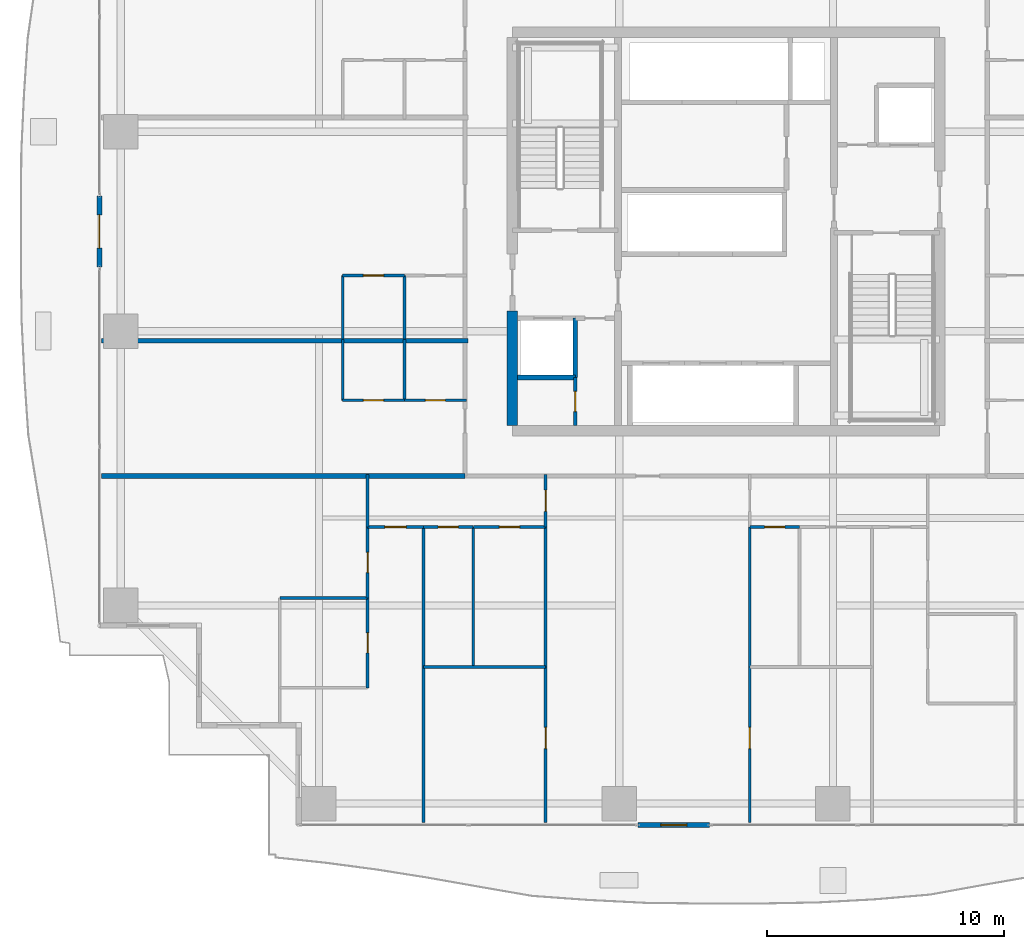
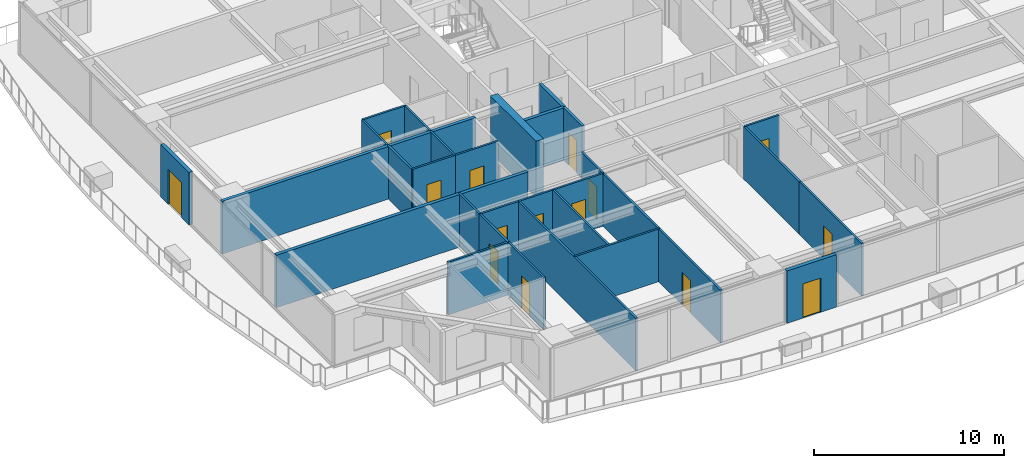
# One storey, part 27 of 40: 31 walls, 15 doors, 15 openings.
"""IFC4 building model written with IfcOpenShell, lengths in metres."""

from ifc_helpers import new_model, si_unit, direction, frame, frame_2d, origin, place, context, subcontext, project, spatial, rectangle, extrude, source, transform, mapped, material, layer, layer_set, type_object, element, fill, save


model = new_model("IFC4")

# Units and contexts
model_context = context("Model", 3, precision=1e-05, world=origin(), true_north=direction((0.0, 1.0)))
body_context = subcontext(model_context, "Body", "Model", "MODEL_VIEW")
ifc_project = project(units=[si_unit("LENGTHUNIT", "METRE"), si_unit("AREAUNIT", "SQUARE_METRE"), si_unit("VOLUMEUNIT", "CUBIC_METRE"), si_unit("PLANEANGLEUNIT", "RADIAN"), si_unit("MASSUNIT", "GRAM", prefix="KILO")], contexts=[model_context])

# Site, building, storey
site_placement = place(None, origin())
site = spatial("IfcSite", under=ifc_project, at=site_placement, CompositionType="ELEMENT")
building_placement = place(site_placement, origin())
building = spatial("IfcBuilding", under=site, at=building_placement, Name="Serunith Strait Residences", CompositionType="ELEMENT")
storey_placement = place(building_placement, frame((0.0, 0.0, 105.449951171875)))
storey = spatial("IfcBuildingStorey", under=building, at=storey_placement, Name="L26", CompositionType="ELEMENT", Elevation=105.449951171875)

# Wall, opening, door
ifc_material_1 = material(Name="Pale-Champagne Aluminium Insulated Panel", Category="aluminium")
ifc_layer_1 = layer(ifc_material_1, 0.219970703125, Name="Pale-Champagne Aluminium Insulated Panel")
ifc_layer_set_1 = layer_set([ifc_layer_1], Name="Pale-Champagne Aluminium Insulated Panel")
wall_type_1 = type_object("IfcWallType", Name="EW-ALUM-220", PredefinedType="ELEMENTEDWALL", material=ifc_layer_set_1)
wall_1_placement = place(storey_placement, frame((28.699951171875, 0.199951171875, 0.0), z_axis=(0.0, 0.0, 1.0), x_axis=(1.0, 0.0, 0.0)))
wall_1 = element("IfcWall", 1, at=wall_1_placement, inside=storey, type_object=wall_type_1, Name="L26 S Facade Pier Wall", PredefinedType="ELEMENTEDWALL", context=body_context, shape_type="SweptSolid", body=[
    extrude(rectangle(XDim=3.0, YDim=0.219970703125, at=frame_2d((1.5, 0.0))), origin(), (0.0, 0.0, 1.0), 3.375),
])
opening_1_placement = place(wall_1_placement, frame((0.949951171875, 0.0, 0.0)))
opening_1 = element("IfcOpeningElement", 2, at=opening_1_placement, cuts=wall_1, Name="Opening ED-03", PredefinedType="OPENING", context=body_context, shape_type="SweptSolid", body=[
    extrude(rectangle(XDim=1.10009765625, YDim=2.199951171875, at=frame_2d((0.550048828125, 1.10009765625))), frame((0.0, 0.1201171875, 0.0), z_axis=(0.0, -1.0, 0.0), x_axis=(1.0, 0.0, 0.0)), (0.0, 0.0, 1.0), 0.239990234375),
])
ifc_material_2 = material(Name="Thermally-Broken Aluminium Glazed Balcony Door", Category="aluminium")
door_type_1 = type_object("IfcDoorType", Name="ED-BALC-1100", OperationType="NOTDEFINED", PredefinedType="DOOR", material=ifc_material_2)
shared_shape_1 = source(origin(), body_context, "Body", "SweptSolid", [
    extrude(rectangle(XDim=1.10009765625, YDim=2.199951171875, at=frame_2d((0.550048828125, 1.10009765625))), frame((0.0, 0.02490234375, 0.0), z_axis=(0.0, -1.0, 0.0), x_axis=(1.0, 0.0, 0.0)), (0.0, 0.0, 1.0), 0.050048828125),
])
door_1_placement = place(opening_1_placement, origin())
door_1 = element("IfcDoor", 3, at=door_1_placement, inside=storey, type_object=door_type_1, Name="L26 S Vertical-Forest Balcony Door", OperationType="SINGLE_SWING_LEFT", OverallHeight=2.199951171875, OverallWidth=1.10009765625, PredefinedType="DOOR", context=body_context, shape_type="MappedRepresentation", body=[
    mapped(shared_shape_1, transform((0.0, 0.0, 0.0), scale=1.0)),
])
fill(opening_1, door_1)

wall_2_placement = place(storey_placement, frame((6.0, 26.699951171875, 0.0), z_axis=(0.0, 0.0, 1.0), x_axis=(0.0, -1.0, 0.0)))
wall_2 = element("IfcWall", 4, at=wall_2_placement, inside=storey, type_object=wall_type_1, Name="L26 W Facade Pier Wall", PredefinedType="ELEMENTEDWALL", context=body_context, shape_type="SweptSolid", body=[
    extrude(rectangle(XDim=3.0, YDim=0.219970703125, at=frame_2d((1.5, 0.0))), origin(), (0.0, 0.0, 1.0), 3.375),
])
opening_2_placement = place(wall_2_placement, frame((0.800048828125, 0.0, 0.0)))
opening_2 = element("IfcOpeningElement", 5, at=opening_2_placement, cuts=wall_2, Name="Opening ED-04", PredefinedType="OPENING", context=body_context, shape_type="SweptSolid", body=[
    extrude(rectangle(XDim=1.39990234375, YDim=2.25, at=frame_2d((0.699951171875, 1.125))), frame((0.0, 0.1201171875, 0.0), z_axis=(0.0, -1.0, 0.0), x_axis=(1.0, 0.0, 0.0)), (0.0, 0.0, 1.0), 0.239990234375),
])
ifc_material_3 = material(Name="Thermally-Broken Aluminium Sliding Balcony Door", Category="aluminium")
door_type_2 = type_object("IfcDoorType", Name="ED-BALC-1400", OperationType="NOTDEFINED", PredefinedType="DOOR", material=ifc_material_3)
shared_shape_2 = source(origin(), body_context, "Body", "SweptSolid", [
    extrude(rectangle(XDim=1.39990234375, YDim=2.25, at=frame_2d((0.699951171875, 1.125))), frame((0.0, 0.02490234375, 0.0), z_axis=(0.0, -1.0, 0.0), x_axis=(1.0, 0.0, 0.0)), (0.0, 0.0, 1.0), 0.050048828125),
])
door_2_placement = place(opening_2_placement, origin())
door_2 = element("IfcDoor", 6, at=door_2_placement, inside=storey, type_object=door_type_2, Name="L26 W Vertical-Forest Balcony Door", OperationType="SLIDING_TO_LEFT", OverallHeight=2.25, OverallWidth=1.39990234375, PredefinedType="DOOR", context=body_context, shape_type="MappedRepresentation", body=[
    mapped(shared_shape_2, transform((0.0, 0.0, 0.0), scale=1.0)),
])
fill(opening_2, door_2)

ifc_material_4 = material(Name="Fire-rated masonry service closet wall", Category="masonry")
ifc_layer_2 = layer(ifc_material_4, 0.14990234375, Name="Fire-rated masonry service closet wall")
ifc_layer_set_2 = layer_set([ifc_layer_2], Name="Fire-rated masonry service closet wall")
wall_type_2 = type_object("IfcWallType", Name="IW-BOH-150", PredefinedType="PARTITIONING", material=ifc_layer_set_2)
wall_3_placement = place(storey_placement, frame((26.050048828125, 17.02490234375, 0.0), z_axis=(0.0, 0.0, 1.0), x_axis=(0.0, 1.0, 0.0)))
wall_3 = element("IfcWall", 7, at=wall_3_placement, inside=storey, type_object=wall_type_2, Name="L26 Partition Wall 012", PredefinedType="PARTITIONING", context=body_context, shape_type="SweptSolid", body=[
    extrude(rectangle(XDim=2.023193359375, YDim=0.14990234375, at=frame_2d((1.01171875, 0.0))), origin(), (0.0, 0.0, 1.0), 3.39013671875),
])
opening_3_placement = place(wall_3_placement, frame((0.5859375, 0.0, 0.0)))
opening_3 = element("IfcOpeningElement", 8, at=opening_3_placement, cuts=wall_3, Name="Opening FD-850", PredefinedType="OPENING", context=body_context, shape_type="SweptSolid", body=[
    extrude(rectangle(XDim=0.85009765625, YDim=2.10009765625, at=frame_2d((0.425048828125, 1.050048828125))), frame((0.0, 0.0849609375, 0.0), z_axis=(0.0, -1.0, 0.0), x_axis=(1.0, 0.0, 0.0)), (0.0, 0.0, 1.0), 0.169921875),
])
ifc_material_5 = material(Name="Powder-coated steel service closet door", Category="steel")
door_type_3 = type_object("IfcDoorType", Name="FD-BOH-850", OperationType="NOTDEFINED", PredefinedType="DOOR", material=ifc_material_5)
shared_shape_3 = source(origin(), body_context, "Body", "SweptSolid", [
    extrude(rectangle(XDim=0.85009765625, YDim=2.10009765625, at=frame_2d((0.425048828125, 1.050048828125))), frame((0.0, 0.02490234375, 0.0), z_axis=(0.0, -1.0, 0.0), x_axis=(1.0, 0.0, 0.0)), (0.0, 0.0, 1.0), 0.050048828125),
])
door_3_placement = place(opening_3_placement, origin())
door_3 = element("IfcDoor", 9, at=door_3_placement, inside=storey, type_object=door_type_3, Name="L26 Cleaner Store Door", OperationType="SINGLE_SWING_RIGHT", OverallHeight=2.10009765625, OverallWidth=0.85009765625, PredefinedType="DOOR", context=body_context, shape_type="MappedRepresentation", body=[
    mapped(shared_shape_3, transform((0.0, 0.0, 0.0), scale=1.0)),
])
fill(opening_3, door_3)

ifc_material_6 = material(Name="Lightweight steel-stud gypsum partition", Category="steel")
ifc_layer_3 = layer(ifc_material_6, 0.1201171875, Name="Lightweight steel-stud gypsum partition")
ifc_layer_set_3 = layer_set([ifc_layer_3], Name="Lightweight steel-stud gypsum partition")
wall_type_3 = type_object("IfcWallType", Name="IW-PART-120", PredefinedType="PARTITIONING", material=ifc_layer_set_3)
wall_4_placement = place(storey_placement, frame((24.800048828125, 12.75, 0.0), z_axis=(0.0, 0.0, 1.0), x_axis=(0.0, 1.0, 0.0)))
wall_4 = element("IfcWall", 10, at=wall_4_placement, inside=storey, type_object=wall_type_3, Name="L26 Partition Wall 026", PredefinedType="PARTITIONING", context=body_context, shape_type="SweptSolid", body=[
    extrude(rectangle(XDim=2.2099609375, YDim=0.1201171875, at=frame_2d((1.10498046875, 0.0))), origin(), (0.0, 0.0, 1.0), 3.39013671875),
])
opening_4_placement = place(wall_4_placement, frame((0.655029296875, 0.0, 0.0)))
opening_4 = element("IfcOpeningElement", 11, at=opening_4_placement, cuts=wall_4, Name="Opening D-RM900", PredefinedType="OPENING", context=body_context, shape_type="SweptSolid", body=[
    extrude(rectangle(XDim=0.89990234375, YDim=2.10009765625, at=frame_2d((0.449951171875, 1.050048828125))), frame((0.0, 0.070068359375, 0.0), z_axis=(0.0, -1.0, 0.0), x_axis=(1.0, 0.0, 0.0)), (0.0, 0.0, 1.0), 0.14013671875),
])
ifc_material_7 = material(Name="Engineered timber flush bedroom door", Category="wood")
door_type_4 = type_object("IfcDoorType", Name="ID-ROOM-900", OperationType="NOTDEFINED", PredefinedType="DOOR", material=ifc_material_7)
shared_shape_4 = source(origin(), body_context, "Body", "SweptSolid", [
    extrude(rectangle(XDim=0.89990234375, YDim=2.10009765625, at=frame_2d((0.449951171875, 1.050048828125))), frame((0.0, 0.02490234375, 0.0), z_axis=(0.0, -1.0, 0.0), x_axis=(1.0, 0.0, 0.0)), (0.0, 0.0, 1.0), 0.050048828125),
])
door_4_placement = place(opening_4_placement, origin())
door_4 = element("IfcDoor", 12, at=door_4_placement, inside=storey, type_object=door_type_4, Name="L26 Hall W 2601 Door", OperationType="SINGLE_SWING_RIGHT", OverallHeight=2.10009765625, OverallWidth=0.89990234375, PredefinedType="DOOR", context=body_context, shape_type="MappedRepresentation", body=[
    mapped(shared_shape_4, transform((0.0, 0.0, 0.0), scale=1.0)),
])
fill(opening_4, door_4)

wall_5_placement = place(storey_placement, frame((24.800048828125, 0.294921875, 0.0), z_axis=(0.0, 0.0, 1.0), x_axis=(0.0, 1.0, 0.0)))
wall_5 = element("IfcWall", 13, at=wall_5_placement, inside=storey, type_object=wall_type_3, Name="L26 Partition Wall 027", PredefinedType="PARTITIONING", context=body_context, shape_type="SweptSolid", body=[
    extrude(rectangle(XDim=6.565185546875, YDim=0.1201171875, at=frame_2d((3.28271484375, 0.0))), origin(), (0.0, 0.0, 1.0), 3.39013671875),
])
opening_5_placement = place(wall_5_placement, frame((3.115966796875, 0.0, 0.0)))
opening_5 = element("IfcOpeningElement", 14, at=opening_5_placement, cuts=wall_5, Name="Opening D-RM900", PredefinedType="OPENING", context=body_context, shape_type="SweptSolid", body=[
    extrude(rectangle(XDim=0.89990234375, YDim=2.10009765625, at=frame_2d((0.449951171875, 1.050048828125))), frame((0.0, 0.070068359375, 0.0), z_axis=(0.0, -1.0, 0.0), x_axis=(1.0, 0.0, 0.0)), (0.0, 0.0, 1.0), 0.14013671875),
])
door_5_placement = place(opening_5_placement, origin())
door_5 = element("IfcDoor", 15, at=door_5_placement, inside=storey, type_object=door_type_4, Name="L26 Formal Dining Room 1 2601 Door", OperationType="SINGLE_SWING_LEFT", OverallHeight=2.10009765625, OverallWidth=0.89990234375, PredefinedType="DOOR", context=body_context, shape_type="MappedRepresentation", body=[
    mapped(shared_shape_4, transform((0.0, 0.0, 0.0), scale=1.0)),
])
fill(opening_5, door_5)

# Walls
wall_6_placement = place(storey_placement, frame((24.800048828125, 6.862060546875, 0.0), z_axis=(0.0, 0.0, 1.0), x_axis=(0.0, 1.0, 0.0)))
element("IfcWall", 16, at=wall_6_placement, inside=storey, type_object=wall_type_3, Name="L26 Partition Wall 028", PredefinedType="PARTITIONING", context=body_context, shape_type="SweptSolid", body=[
    extrude(rectangle(XDim=5.885986328125, YDim=0.1201171875, at=frame_2d((2.94287109375, 0.0))), origin(), (0.0, 0.0, 1.0), 3.39013671875),
])
wall_7_placement = place(storey_placement, frame((19.64990234375, 6.860107421875, 0.0), z_axis=(0.0, 0.0, 1.0), x_axis=(1.0, 0.0, 0.0)))
element("IfcWall", 17, at=wall_7_placement, inside=storey, type_object=wall_type_3, Name="L26 Partition Wall 029", PredefinedType="PARTITIONING", context=body_context, shape_type="SweptSolid", body=[
    extrude(rectangle(XDim=5.150146484375, YDim=0.1201171875, at=frame_2d((2.5751953125, 0.0))), origin(), (0.0, 0.0, 1.0), 3.39013671875),
])
wall_8_placement = place(storey_placement, frame((19.64990234375, 0.294921875, 0.0), z_axis=(0.0, 0.0, 1.0), x_axis=(0.0, 1.0, 0.0)))
element("IfcWall", 18, at=wall_8_placement, inside=storey, type_object=wall_type_3, Name="L26 Partition Wall 030", PredefinedType="PARTITIONING", context=body_context, shape_type="SweptSolid", body=[
    extrude(rectangle(XDim=12.455078125, YDim=0.1201171875, at=frame_2d((6.2275390625, 0.0))), origin(), (0.0, 0.0, 1.0), 3.39013671875),
])
wall_9_placement = place(storey_placement, frame((21.75, 6.860107421875, 0.0), z_axis=(0.0, 0.0, 1.0), x_axis=(0.0, 1.0, 0.0)))
element("IfcWall", 19, at=wall_9_placement, inside=storey, type_object=wall_type_3, Name="L26 Partition Wall 031", PredefinedType="PARTITIONING", context=body_context, shape_type="SweptSolid", body=[
    extrude(rectangle(XDim=5.889892578125, YDim=0.1201171875, at=frame_2d((2.94482421875, 0.0))), origin(), (0.0, 0.0, 1.0), 3.39013671875),
])

# Wall, opening, door
wall_10_placement = place(storey_placement, frame((19.64990234375, 12.75, 0.0), z_axis=(0.0, 0.0, 1.0), x_axis=(1.0, 0.0, 0.0)))
wall_10 = element("IfcWall", 20, at=wall_10_placement, inside=storey, type_object=wall_type_3, Name="L26 Partition Wall 032", PredefinedType="PARTITIONING", context=body_context, shape_type="SweptSolid", body=[
    extrude(rectangle(XDim=2.10009765625, YDim=0.1201171875, at=frame_2d((1.050048828125, 0.0))), origin(), (0.0, 0.0, 1.0), 3.39013671875),
])
opening_6_placement = place(wall_10_placement, frame((0.625, 0.0, 0.0)))
opening_6 = element("IfcOpeningElement", 21, at=opening_6_placement, cuts=wall_10, Name="Opening D-BTH850", PredefinedType="OPENING", context=body_context, shape_type="SweptSolid", body=[
    extrude(rectangle(XDim=0.85009765625, YDim=2.10009765625, at=frame_2d((0.425048828125, 1.050048828125))), frame((0.0, 0.070068359375, 0.0), z_axis=(0.0, -1.0, 0.0), x_axis=(1.0, 0.0, 0.0)), (0.0, 0.0, 1.0), 0.14013671875),
])
ifc_material_8 = material(Name="Moisture-resistant timber bathroom door", Category="wood")
door_type_5 = type_object("IfcDoorType", Name="ID-BATH-850", OperationType="NOTDEFINED", PredefinedType="DOOR", material=ifc_material_8)
door_6_placement = place(opening_6_placement, origin())
door_6 = element("IfcDoor", 22, at=door_6_placement, inside=storey, type_object=door_type_5, Name="L26 Bathroom 2601 Door", OperationType="SINGLE_SWING_RIGHT", OverallHeight=2.10009765625, OverallWidth=0.85009765625, PredefinedType="DOOR", context=body_context, shape_type="MappedRepresentation", body=[
    mapped(shared_shape_3, transform((0.0, 0.0, 0.0), scale=1.0)),
])
fill(opening_6, door_6)

wall_11_placement = place(storey_placement, frame((21.751953125, 12.75, 0.0), z_axis=(0.0, 0.0, 1.0), x_axis=(1.0, 0.0, 0.0)))
wall_11 = element("IfcWall", 23, at=wall_11_placement, inside=storey, type_object=wall_type_3, Name="L26 Partition Wall 033", PredefinedType="PARTITIONING", context=body_context, shape_type="SweptSolid", body=[
    extrude(rectangle(XDim=3.048095703125, YDim=0.1201171875, at=frame_2d((1.52392578125, 0.0))), origin(), (0.0, 0.0, 1.0), 3.39013671875),
])
opening_7_placement = place(wall_11_placement, frame((1.09912109375, 0.0, 0.0)))
opening_7 = element("IfcOpeningElement", 24, at=opening_7_placement, cuts=wall_11, Name="Opening D-RM850", PredefinedType="OPENING", context=body_context, shape_type="SweptSolid", body=[
    extrude(rectangle(XDim=0.85009765625, YDim=2.10009765625, at=frame_2d((0.425048828125, 1.050048828125))), frame((0.0, 0.070068359375, 0.0), z_axis=(0.0, -1.0, 0.0), x_axis=(1.0, 0.0, 0.0)), (0.0, 0.0, 1.0), 0.14013671875),
])
ifc_material_9 = material(Name="Engineered timber flush study and kitchen door", Category="wood")
door_type_6 = type_object("IfcDoorType", Name="ID-ROOM-850", OperationType="NOTDEFINED", PredefinedType="DOOR", material=ifc_material_9)
door_7_placement = place(opening_7_placement, origin())
door_7 = element("IfcDoor", 25, at=door_7_placement, inside=storey, type_object=door_type_6, Name="L26 Kitchen 2601 Door", OperationType="SINGLE_SWING_LEFT", OverallHeight=2.10009765625, OverallWidth=0.85009765625, PredefinedType="DOOR", context=body_context, shape_type="MappedRepresentation", body=[
    mapped(shared_shape_3, transform((0.0, 0.0, 0.0), scale=1.0)),
])
fill(opening_7, door_7)

wall_12_placement = place(storey_placement, frame((17.300048828125, 12.75, 0.0), z_axis=(0.0, 0.0, 1.0), x_axis=(1.0, 0.0, 0.0)))
wall_12 = element("IfcWall", 26, at=wall_12_placement, inside=storey, type_object=wall_type_3, Name="L26 Partition Wall 034", PredefinedType="PARTITIONING", context=body_context, shape_type="SweptSolid", body=[
    extrude(rectangle(XDim=2.347900390625, YDim=0.1201171875, at=frame_2d((1.173828125, 0.0))), origin(), (0.0, 0.0, 1.0), 3.39013671875),
])
opening_8_placement = place(wall_12_placement, frame((0.72412109375, 0.0, 0.0)))
opening_8 = element("IfcOpeningElement", 27, at=opening_8_placement, cuts=wall_12, Name="Opening D-RM900", PredefinedType="OPENING", context=body_context, shape_type="SweptSolid", body=[
    extrude(rectangle(XDim=0.89990234375, YDim=2.10009765625, at=frame_2d((0.449951171875, 1.050048828125))), frame((0.0, 0.070068359375, 0.0), z_axis=(0.0, -1.0, 0.0), x_axis=(1.0, 0.0, 0.0)), (0.0, 0.0, 1.0), 0.14013671875),
])
door_8_placement = place(opening_8_placement, origin())
door_8 = element("IfcDoor", 28, at=door_8_placement, inside=storey, type_object=door_type_4, Name="L26 Master Bedroom W 2601 Door", OperationType="SINGLE_SWING_RIGHT", OverallHeight=2.10009765625, OverallWidth=0.89990234375, PredefinedType="DOOR", context=body_context, shape_type="MappedRepresentation", body=[
    mapped(shared_shape_4, transform((0.0, 0.0, 0.0), scale=1.0)),
])
fill(opening_8, door_8)

# Wall
wall_13_placement = place(storey_placement, frame((13.60009765625, 9.761962890625, 0.0), z_axis=(0.0, 0.0, 1.0), x_axis=(1.0, 0.0, 0.0)))
element("IfcWall", 29, at=wall_13_placement, inside=storey, type_object=wall_type_3, Name="L26 Partition Wall 037", PredefinedType="PARTITIONING", context=body_context, shape_type="SweptSolid", body=[
    extrude(rectangle(XDim=3.699951171875, YDim=0.1201171875, at=frame_2d((1.85009765625, 0.0))), origin(), (0.0, 0.0, 1.0), 3.39013671875),
])

# Wall, opening, door
wall_14_placement = place(storey_placement, frame((17.300048828125, 5.97802734375, 0.0), z_axis=(0.0, 0.0, 1.0), x_axis=(0.0, 1.0, 0.0)))
wall_14 = element("IfcWall", 30, at=wall_14_placement, inside=storey, type_object=wall_type_3, Name="L26 Partition Wall 038", PredefinedType="PARTITIONING", context=body_context, shape_type="SweptSolid", body=[
    extrude(rectangle(XDim=3.783935546875, YDim=0.1201171875, at=frame_2d((1.89208984375, 0.0))), origin(), (0.0, 0.0, 1.0), 3.39013671875),
])
opening_9_placement = place(wall_14_placement, frame((1.467041015625, 0.0, 0.0)))
opening_9 = element("IfcOpeningElement", 31, at=opening_9_placement, cuts=wall_14, Name="Opening D-BTH850", PredefinedType="OPENING", context=body_context, shape_type="SweptSolid", body=[
    extrude(rectangle(XDim=0.85009765625, YDim=2.10009765625, at=frame_2d((0.425048828125, 1.050048828125))), frame((0.0, 0.070068359375, 0.0), z_axis=(0.0, -1.0, 0.0), x_axis=(1.0, 0.0, 0.0)), (0.0, 0.0, 1.0), 0.14013671875),
])
door_9_placement = place(opening_9_placement, origin())
door_9 = element("IfcDoor", 32, at=door_9_placement, inside=storey, type_object=door_type_5, Name="L26 En-suite Bathroom W 2601 Door", OperationType="SINGLE_SWING_LEFT", OverallHeight=2.10009765625, OverallWidth=0.85009765625, PredefinedType="DOOR", context=body_context, shape_type="MappedRepresentation", body=[
    mapped(shared_shape_3, transform((0.0, 0.0, 0.0), scale=1.0)),
])
fill(opening_9, door_9)

wall_15_placement = place(storey_placement, frame((17.300048828125, 9.763916015625, 0.0), z_axis=(0.0, 0.0, 1.0), x_axis=(0.0, 1.0, 0.0)))
wall_15 = element("IfcWall", 33, at=wall_15_placement, inside=storey, type_object=wall_type_3, Name="L26 Partition Wall 039", PredefinedType="PARTITIONING", context=body_context, shape_type="SweptSolid", body=[
    extrude(rectangle(XDim=2.986083984375, YDim=0.1201171875, at=frame_2d((1.4931640625, 0.0))), origin(), (0.0, 0.0, 1.0), 3.39013671875),
])
opening_10_placement = place(wall_15_placement, frame((1.068115234375, 0.0, 0.0)))
opening_10 = element("IfcOpeningElement", 34, at=opening_10_placement, cuts=wall_15, Name="Opening D-RM850", PredefinedType="OPENING", context=body_context, shape_type="SweptSolid", body=[
    extrude(rectangle(XDim=0.85009765625, YDim=2.10009765625, at=frame_2d((0.425048828125, 1.050048828125))), frame((0.0, 0.070068359375, 0.0), z_axis=(0.0, -1.0, 0.0), x_axis=(1.0, 0.0, 0.0)), (0.0, 0.0, 1.0), 0.14013671875),
])
door_10_placement = place(opening_10_placement, origin())
door_10 = element("IfcDoor", 35, at=door_10_placement, inside=storey, type_object=door_type_6, Name="L26 Wardrobe W 2601 Door", OperationType="SINGLE_SWING_RIGHT", OverallHeight=2.10009765625, OverallWidth=0.85009765625, PredefinedType="DOOR", context=body_context, shape_type="MappedRepresentation", body=[
    mapped(shared_shape_3, transform((0.0, 0.0, 0.0), scale=1.0)),
])
fill(opening_10, door_10)

# Wall
wall_16_placement = place(storey_placement, frame((17.300048828125, 12.751953125, 0.0), z_axis=(0.0, 0.0, 1.0), x_axis=(0.0, 1.0, 0.0)))
element("IfcWall", 36, at=wall_16_placement, inside=storey, type_object=wall_type_3, Name="L26 Partition Wall 040", PredefinedType="PARTITIONING", context=body_context, shape_type="SweptSolid", body=[
    extrude(rectangle(XDim=2.2080078125, YDim=0.1201171875, at=frame_2d((1.10400390625, 0.0))), origin(), (0.0, 0.0, 1.0), 3.39013671875),
])

# Wall, opening, door
wall_17_placement = place(storey_placement, frame((33.39990234375, 0.294921875, 0.0), z_axis=(0.0, 0.0, 1.0), x_axis=(0.0, 1.0, 0.0)))
wall_17 = element("IfcWall", 37, at=wall_17_placement, inside=storey, type_object=wall_type_3, Name="L26 Partition Wall 042", PredefinedType="PARTITIONING", context=body_context, shape_type="SweptSolid", body=[
    extrude(rectangle(XDim=6.565185546875, YDim=0.1201171875, at=frame_2d((3.28271484375, 0.0))), origin(), (0.0, 0.0, 1.0), 3.39013671875),
])
opening_11_placement = place(wall_17_placement, frame((3.115966796875, 0.0, 0.0)))
opening_11 = element("IfcOpeningElement", 38, at=opening_11_placement, cuts=wall_17, Name="Opening D-RM900", PredefinedType="OPENING", context=body_context, shape_type="SweptSolid", body=[
    extrude(rectangle(XDim=0.89990234375, YDim=2.10009765625, at=frame_2d((0.449951171875, 1.050048828125))), frame((0.0, 0.070068359375, 0.0), z_axis=(0.0, -1.0, 0.0), x_axis=(1.0, 0.0, 0.0)), (0.0, 0.0, 1.0), 0.14013671875),
])
door_11_placement = place(opening_11_placement, origin())
door_11 = element("IfcDoor", 39, at=door_11_placement, inside=storey, type_object=door_type_4, Name="L26 Formal Dining Room 3 2601 Door", OperationType="SINGLE_SWING_RIGHT", OverallHeight=2.10009765625, OverallWidth=0.89990234375, PredefinedType="DOOR", context=body_context, shape_type="MappedRepresentation", body=[
    mapped(shared_shape_4, transform((0.0, 0.0, 0.0), scale=1.0)),
])
fill(opening_11, door_11)

# Wall
wall_18_placement = place(storey_placement, frame((33.39990234375, 6.862060546875, 0.0), z_axis=(0.0, 0.0, 1.0), x_axis=(0.0, 1.0, 0.0)))
element("IfcWall", 40, at=wall_18_placement, inside=storey, type_object=wall_type_3, Name="L26 Partition Wall 043", PredefinedType="PARTITIONING", context=body_context, shape_type="SweptSolid", body=[
    extrude(rectangle(XDim=5.885986328125, YDim=0.1201171875, at=frame_2d((2.94287109375, 0.0))), origin(), (0.0, 0.0, 1.0), 3.39013671875),
])

# Wall, opening, door
wall_19_placement = place(storey_placement, frame((33.39990234375, 12.75, 0.0), z_axis=(0.0, 0.0, 1.0), x_axis=(1.0, 0.0, 0.0)))
wall_19 = element("IfcWall", 41, at=wall_19_placement, inside=storey, type_object=wall_type_3, Name="L26 Partition Wall 047", PredefinedType="PARTITIONING", context=body_context, shape_type="SweptSolid", body=[
    extrude(rectangle(XDim=2.10009765625, YDim=0.1201171875, at=frame_2d((1.050048828125, 0.0))), origin(), (0.0, 0.0, 1.0), 3.39013671875),
])
opening_12_placement = place(wall_19_placement, frame((0.625, 0.0, 0.0)))
opening_12 = element("IfcOpeningElement", 42, at=opening_12_placement, cuts=wall_19, Name="Opening D-RM850", PredefinedType="OPENING", context=body_context, shape_type="SweptSolid", body=[
    extrude(rectangle(XDim=0.85009765625, YDim=2.10009765625, at=frame_2d((0.425048828125, 1.050048828125))), frame((0.0, 0.070068359375, 0.0), z_axis=(0.0, -1.0, 0.0), x_axis=(1.0, 0.0, 0.0)), (0.0, 0.0, 1.0), 0.14013671875),
])
door_12_placement = place(opening_12_placement, origin())
door_12 = element("IfcDoor", 43, at=door_12_placement, inside=storey, type_object=door_type_6, Name="L26 Study 2601 Door", OperationType="SINGLE_SWING_LEFT", OverallHeight=2.10009765625, OverallWidth=0.85009765625, PredefinedType="DOOR", context=body_context, shape_type="MappedRepresentation", body=[
    mapped(shared_shape_3, transform((0.0, 0.0, 0.0), scale=1.0)),
])
fill(opening_12, door_12)

wall_20_placement = place(storey_placement, frame((16.25, 18.090087890625, 0.0), z_axis=(0.0, 0.0, 1.0), x_axis=(1.0, 0.0, 0.0)))
wall_20 = element("IfcWall", 44, at=wall_20_placement, inside=storey, type_object=wall_type_3, Name="L26 Partition Wall 088", PredefinedType="PARTITIONING", context=body_context, shape_type="SweptSolid", body=[
    extrude(rectangle(XDim=2.60009765625, YDim=0.1201171875, at=frame_2d((1.300048828125, 0.0))), origin(), (0.0, 0.0, 1.0), 3.39013671875),
])
opening_13_placement = place(wall_20_placement, frame((0.875, 0.0, 0.0)))
opening_13 = element("IfcOpeningElement", 45, at=opening_13_placement, cuts=wall_20, Name="Opening D-RM850", PredefinedType="OPENING", context=body_context, shape_type="SweptSolid", body=[
    extrude(rectangle(XDim=0.85009765625, YDim=2.10009765625, at=frame_2d((0.425048828125, 1.050048828125))), frame((0.0, 0.070068359375, 0.0), z_axis=(0.0, -1.0, 0.0), x_axis=(1.0, 0.0, 0.0)), (0.0, 0.0, 1.0), 0.14013671875),
])
door_13_placement = place(opening_13_placement, origin())
door_13 = element("IfcDoor", 46, at=door_13_placement, inside=storey, type_object=door_type_6, Name="L26 Kitchen 2603 Door", OperationType="SINGLE_SWING_LEFT", OverallHeight=2.10009765625, OverallWidth=0.85009765625, PredefinedType="DOOR", context=body_context, shape_type="MappedRepresentation", body=[
    mapped(shared_shape_3, transform((0.0, 0.0, 0.0), scale=1.0)),
])
fill(opening_13, door_13)

wall_21_placement = place(storey_placement, frame((18.85205078125, 18.090087890625, 0.0), z_axis=(0.0, 0.0, 1.0), x_axis=(1.0, 0.0, 0.0)))
wall_21 = element("IfcWall", 47, at=wall_21_placement, inside=storey, type_object=wall_type_3, Name="L26 Partition Wall 089", PredefinedType="PARTITIONING", context=body_context, shape_type="SweptSolid", body=[
    extrude(rectangle(XDim=2.60791015625, YDim=0.1201171875, at=frame_2d((1.303955078125, 0.0))), origin(), (0.0, 0.0, 1.0), 3.39013671875),
])
opening_14_placement = place(wall_21_placement, frame((0.87890625, 0.0, 0.0)))
opening_14 = element("IfcOpeningElement", 48, at=opening_14_placement, cuts=wall_21, Name="Opening D-BTH850", PredefinedType="OPENING", context=body_context, shape_type="SweptSolid", body=[
    extrude(rectangle(XDim=0.85009765625, YDim=2.10009765625, at=frame_2d((0.425048828125, 1.050048828125))), frame((0.0, 0.070068359375, 0.0), z_axis=(0.0, -1.0, 0.0), x_axis=(1.0, 0.0, 0.0)), (0.0, 0.0, 1.0), 0.14013671875),
])
door_14_placement = place(opening_14_placement, origin())
door_14 = element("IfcDoor", 49, at=door_14_placement, inside=storey, type_object=door_type_5, Name="L26 Bathroom 2603 Door", OperationType="SINGLE_SWING_RIGHT", OverallHeight=2.10009765625, OverallWidth=0.85009765625, PredefinedType="DOOR", context=body_context, shape_type="MappedRepresentation", body=[
    mapped(shared_shape_3, transform((0.0, 0.0, 0.0), scale=1.0)),
])
fill(opening_14, door_14)

# Walls
for number, where, z_axis, x_axis, name in (
    (50, (18.85009765625, 18.090087890625, 0.0), (0.0, 0.0, 1.0), (0.0, 1.0, 0.0), "L26 Partition Wall 090"),
    (51, (16.25, 18.090087890625, 0.0), (0.0, 0.0, 1.0), (0.0, 1.0, 0.0), "L26 Partition Wall 091"),
):
    element("IfcWall", number, at=place(storey_placement, frame(where, z_axis=z_axis, x_axis=x_axis)), inside=storey, type_object=wall_type_3, Name=name, PredefinedType="PARTITIONING", context=body_context, shape_type="SweptSolid", body=[
        extrude(rectangle(XDim=2.56982421875, YDim=0.1201171875, at=frame_2d((1.284912109375, 0.0))), origin(), (0.0, 0.0, 1.0), 3.39013671875),
    ])

# Wall, opening, door
wall_22_placement = place(storey_placement, frame((16.25, 23.35009765625, 0.0), z_axis=(0.0, 0.0, 1.0), x_axis=(1.0, 0.0, 0.0)))
wall_22 = element("IfcWall", 52, at=wall_22_placement, inside=storey, type_object=wall_type_3, Name="L26 Partition Wall 092", PredefinedType="PARTITIONING", context=body_context, shape_type="SweptSolid", body=[
    extrude(rectangle(XDim=2.60009765625, YDim=0.1201171875, at=frame_2d((1.300048828125, 0.0))), origin(), (0.0, 0.0, 1.0), 3.39013671875),
])
opening_15_placement = place(wall_22_placement, frame((0.875, 0.0, 0.0)))
opening_15 = element("IfcOpeningElement", 53, at=opening_15_placement, cuts=wall_22, Name="Opening D-RM850", PredefinedType="OPENING", context=body_context, shape_type="SweptSolid", body=[
    extrude(rectangle(XDim=0.85009765625, YDim=2.10009765625, at=frame_2d((0.425048828125, 1.050048828125))), frame((0.0, 0.070068359375, 0.0), z_axis=(0.0, -1.0, 0.0), x_axis=(1.0, 0.0, 0.0)), (0.0, 0.0, 1.0), 0.14013671875),
])
door_15_placement = place(opening_15_placement, origin())
door_15 = element("IfcDoor", 54, at=door_15_placement, inside=storey, type_object=door_type_6, Name="L26 Kitchen 2604 Door", OperationType="SINGLE_SWING_LEFT", OverallHeight=2.10009765625, OverallWidth=0.85009765625, PredefinedType="DOOR", context=body_context, shape_type="MappedRepresentation", body=[
    mapped(shared_shape_3, transform((0.0, 0.0, 0.0), scale=1.0)),
])
fill(opening_15, door_15)

# Walls
for number, where, z_axis, x_axis, name in (
    (55, (18.85009765625, 20.662109375, 0.0), (0.0, 0.0, 1.0), (0.0, 1.0, 0.0), "L26 Partition Wall 094"),
    (56, (16.25, 20.662109375, 0.0), (0.0, 0.0, 1.0), (0.0, 1.0, 0.0), "L26 Partition Wall 095"),
):
    element("IfcWall", number, at=place(storey_placement, frame(where, z_axis=z_axis, x_axis=x_axis)), inside=storey, type_object=wall_type_3, Name=name, PredefinedType="PARTITIONING", context=body_context, shape_type="SweptSolid", body=[
        extrude(rectangle(XDim=2.68798828125, YDim=0.1201171875, at=frame_2d((1.343994140625, 0.0))), origin(), (0.0, 0.0, 1.0), 3.39013671875),
    ])
ifc_material_10 = material(Name="Twin-stud acoustic gypsum board partition")
ifc_layer_4 = layer(ifc_material_10, 0.199951171875, Name="Twin-stud acoustic gypsum board partition")
ifc_layer_set_4 = layer_set([ifc_layer_4], Name="Twin-stud acoustic gypsum board partition")
wall_type_4 = type_object("IfcWallType", Name="IW-PARTY-200", PredefinedType="PARTITIONING", material=ifc_layer_set_4)
wall_23_placement = place(storey_placement, frame((6.08203125, 20.60009765625, 0.0), z_axis=(0.0, 0.0, 1.0), x_axis=(1.0, 0.0, 0.0)))
element("IfcWall", 57, at=wall_23_placement, inside=storey, type_object=wall_type_4, Name="L26 Partition Wall 014", PredefinedType="PARTITIONING", context=body_context, shape_type="SweptSolid", body=[
    extrude(rectangle(XDim=15.43798828125, YDim=0.199951171875, at=frame_2d((7.718994140625, 0.0))), origin(), (0.0, 0.0, 1.0), 3.39013671875),
])
wall_24_placement = place(storey_placement, frame((6.08203125, 14.89990234375, 0.0), z_axis=(0.0, 0.0, 1.0), x_axis=(1.0, 0.0, 0.0)))
element("IfcWall", 58, at=wall_24_placement, inside=storey, type_object=wall_type_4, Name="L26 Partition Wall 018", PredefinedType="PARTITIONING", context=body_context, shape_type="SweptSolid", body=[
    extrude(rectangle(XDim=15.31787109375, YDim=0.199951171875, at=frame_2d((7.658935546875, 0.0))), origin(), (0.0, 0.0, 1.0), 3.39013671875),
])
ifc_material_11 = material(Name="Autoclaved aerated concrete blockwork", Category="masonry")
ifc_layer_5 = layer(ifc_material_11, 0.199951171875, Name="Autoclaved aerated concrete blockwork")
ifc_layer_set_5 = layer_set([ifc_layer_5], Name="Autoclaved aerated concrete blockwork")
wall_type_5 = type_object("IfcWallType", Name="IW-SHAFT-200", PredefinedType="STANDARD", material=ifc_layer_set_5)
wall_25_placement = place(storey_placement, frame((26.050048828125, 19.050048828125, 0.0), z_axis=(0.0, 0.0, 1.0), x_axis=(0.0, 1.0, 0.0)))
element("IfcWall", 59, at=wall_25_placement, inside=storey, type_object=wall_type_5, Name="L26 Partition Wall 001", PredefinedType="STANDARD", context=body_context, shape_type="SweptSolid", body=[
    extrude(rectangle(XDim=2.5, YDim=0.199951171875, at=frame_2d((1.25, 0.0))), origin(), (0.0, 0.0, 1.0), 3.39013671875),
])
wall_26_placement = place(storey_placement, frame((23.625, 19.050048828125, 0.0), z_axis=(0.0, 0.0, 1.0), x_axis=(1.0, 0.0, 0.0)))
element("IfcWall", 60, at=wall_26_placement, inside=storey, type_object=wall_type_5, Name="L26 Partition Wall 002", PredefinedType="STANDARD", context=body_context, shape_type="SweptSolid", body=[
    extrude(rectangle(XDim=2.425048828125, YDim=0.199951171875, at=frame_2d((1.21240234375, 0.0))), origin(), (0.0, 0.0, 1.0), 3.39013671875),
])
ifc_material_12 = material(Name="Concrete C80/95", Category="concrete")
ifc_layer_6 = layer(ifc_material_12, 0.449951171875, Name="Concrete C80/95")
ifc_layer_set_6 = layer_set([ifc_layer_6], Name="Concrete C80/95")
wall_type_6 = type_object("IfcWallType", Name="SW-450-C80", PredefinedType="SHEAR", material=ifc_layer_set_6)
wall_27_placement = place(storey_placement, frame((23.39990234375, 17.02490234375, -0.260009765625), z_axis=(0.0, 0.0, 1.0), x_axis=(0.0, 1.0, 0.0)))
element("IfcWall", 61, at=wall_27_placement, inside=storey, type_object=wall_type_6, Name="L26 Core West Shear Wall South Pier", PredefinedType="SHEAR", context=body_context, shape_type="SweptSolid", body=[
    extrude(rectangle(XDim=4.8251953125, YDim=0.449951171875, at=frame_2d((2.41259765625, 0.0))), origin(), (0.0, 0.0, 1.0), 3.64794921875),
])

save(model, "model.ifc")
